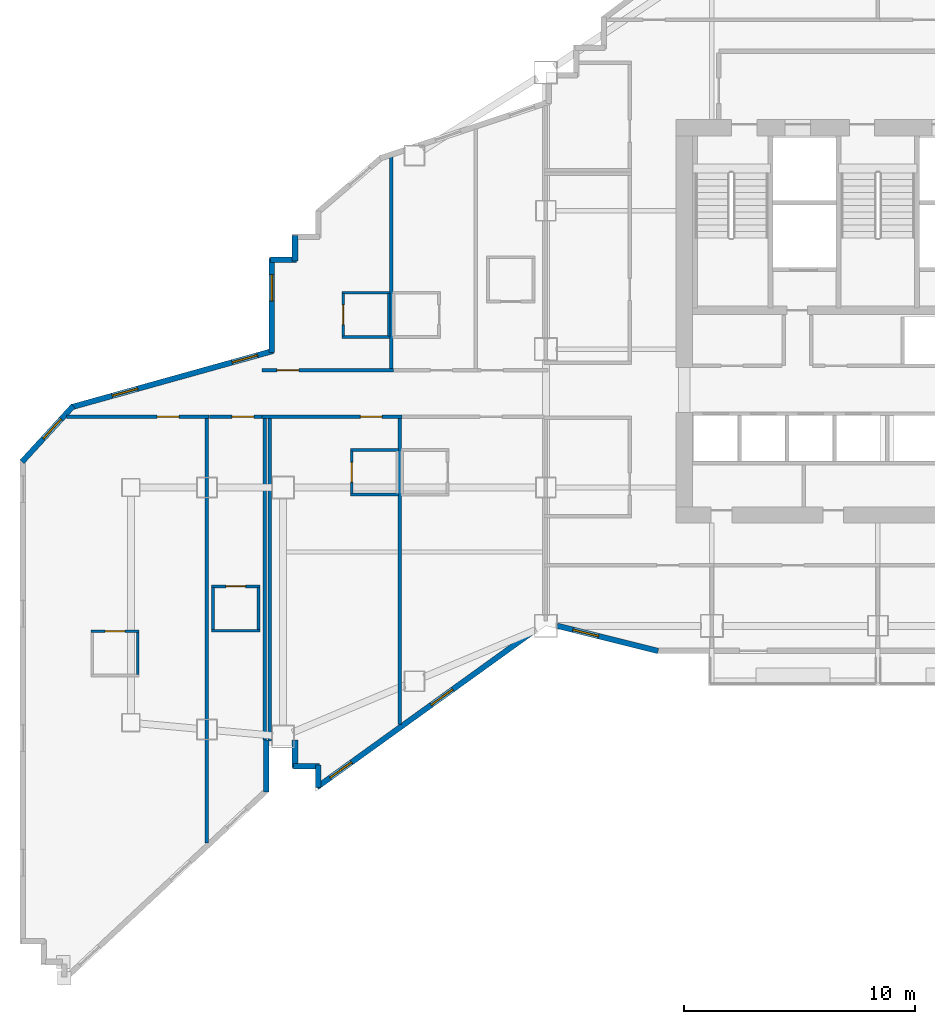
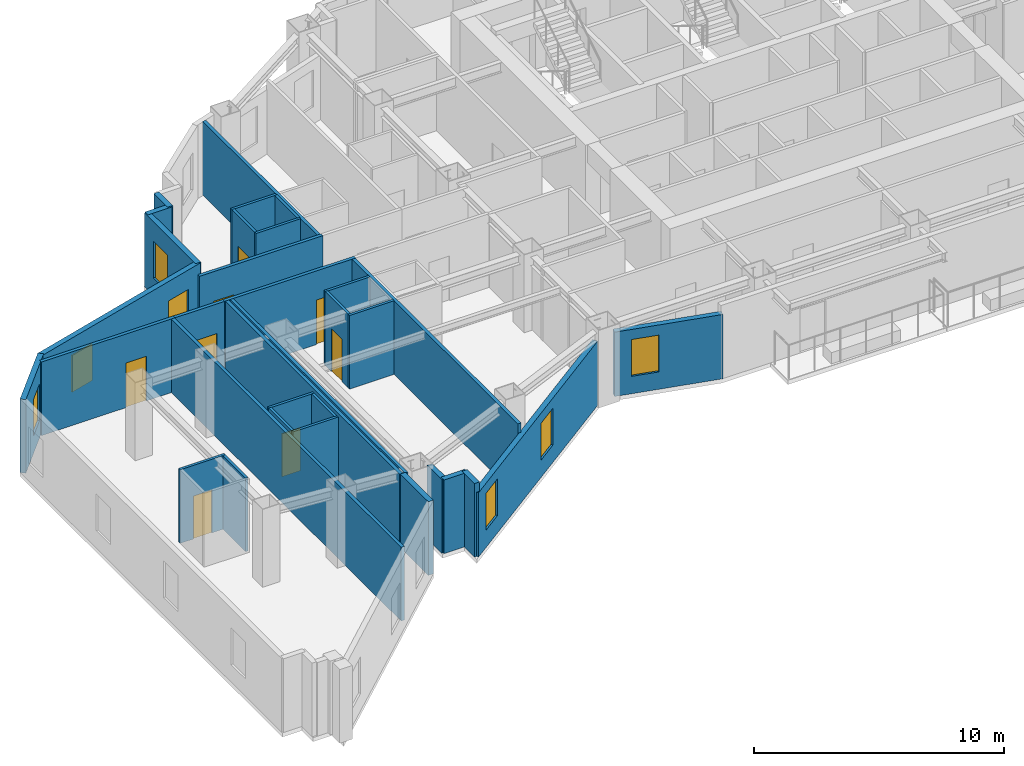
# One storey, part 7 of 14: 33 walls, 8 doors, 7 windows, 15 openings.
"""IFC4 building model written with IfcOpenShell, lengths in metres."""

from ifc_helpers import new_model, si_unit, direction, frame, frame_2d, origin, place, context, subcontext, project, spatial, rectangle, extrude, material, layer, layer_set, type_object, element, fill, save


model = new_model("IFC4")

# Units and contexts
model_context = context("Model", 3, precision=1e-05, world=origin(), true_north=direction((0.0, 1.0)))
body_context = subcontext(model_context, "Body", "Model", "MODEL_VIEW")
ifc_project = project(units=[si_unit("LENGTHUNIT", "METRE"), si_unit("AREAUNIT", "SQUARE_METRE"), si_unit("VOLUMEUNIT", "CUBIC_METRE"), si_unit("PLANEANGLEUNIT", "RADIAN"), si_unit("MASSUNIT", "GRAM", prefix="KILO")], contexts=[model_context])

# Site, building, storey
site_placement = place(None, origin())
site = spatial("IfcSite", under=ifc_project, at=site_placement, CompositionType="ELEMENT")
building_placement = place(site_placement, origin())
building = spatial("IfcBuilding", under=site, at=building_placement, Name="Haolan Belvedere Tower", CompositionType="ELEMENT")
storey_placement = place(building_placement, frame((0.0, 0.0, 144.800048828125)))
storey = spatial("IfcBuildingStorey", under=building, at=storey_placement, Name="L36", CompositionType="ELEMENT", Elevation=144.800048828125)

# Walls
ifc_material_1 = material(Name="Precast concrete C40/50", Category="concrete")
ifc_layer_1 = layer(ifc_material_1, 0.239990234375, Name="Precast concrete C40/50")
ifc_layer_set_1 = layer_set([ifc_layer_1], Name="Precast concrete C40/50")
wall_type_1 = type_object("IfcWallType", Name="WL-EXT-240", PredefinedType="SOLIDWALL", material=ifc_layer_set_1)
wall_1_placement = place(storey_placement, frame((13.1201171875, 16.639892578125, 0.0), z_axis=(0.0, 0.0, 1.0), x_axis=(0.0, -1.0, 0.0)))
element("IfcWall", 1, at=wall_1_placement, inside=storey, type_object=wall_type_1, Name="L36 pale-metal exterior spandrel wall 2.1", PredefinedType="SOLIDWALL", context=body_context, shape_type="SweptSolid", body=[
    extrude(rectangle(XDim=1.1748046875, YDim=0.239990234375, at=frame_2d((0.58740234375, 0.0))), origin(), (0.0, 0.0, 1.0), 3.599853515625),
])
wall_2_placement = place(storey_placement, frame((13.06494140625, 15.52001953125, 0.0), z_axis=(0.0, 0.0, 1.0), x_axis=(1.0, 0.0, 0.0)))
element("IfcWall", 2, at=wall_2_placement, inside=storey, type_object=wall_type_1, Name="L36 pale-metal exterior spandrel wall 3.1", PredefinedType="SOLIDWALL", context=body_context, shape_type="SweptSolid", body=[
    extrude(rectangle(XDim=1.110107421875, YDim=0.239990234375, at=frame_2d((0.55517578125, 0.0))), origin(), (0.0, 0.0, 1.0), 3.599853515625),
])
wall_3_placement = place(storey_placement, frame((14.1201171875, 15.574951171875, 0.0), z_axis=(0.0, 0.0, 1.0), x_axis=(0.0, -1.0, 0.0)))
element("IfcWall", 3, at=wall_3_placement, inside=storey, type_object=wall_type_1, Name="L36 pale-metal exterior spandrel wall 4.1", PredefinedType="SOLIDWALL", context=body_context, shape_type="SweptSolid", body=[
    extrude(rectangle(XDim=0.99560546875, YDim=0.239990234375, at=frame_2d((0.497802734375, 0.0))), origin(), (0.0, 0.0, 1.0), 3.599853515625),
])

# Wall, openings, windows
wall_4_placement = place(storey_placement, frame((14.075439453125, 14.602294921875, 0.0), z_axis=(0.0, 0.0, 1.0), x_axis=(0.811543504691, 0.584291998913, 0.0)))
wall_4 = element("IfcWall", 4, at=wall_4_placement, inside=storey, type_object=wall_type_1, Name="L36 pale-metal exterior spandrel wall 5.1", PredefinedType="SOLIDWALL", context=body_context, shape_type="SweptSolid", body=[
    extrude(rectangle(XDim=11.623046875, YDim=0.239990234375, at=frame_2d((5.8115234375, 0.0))), origin(), (0.0, 0.0, 1.0), 3.14501953125),
])
opening_1_placement = place(wall_4_placement, frame((0.699951171875, 0.0, 0.85009765625)))
opening_1 = element("IfcOpeningElement", 5, at=opening_1_placement, cuts=wall_4, Name="Opening W-02", PredefinedType="OPENING", context=body_context, shape_type="SweptSolid", body=[
    extrude(rectangle(XDim=1.14990234375, YDim=1.800048828125, at=frame_2d((0.574951171875, 0.89990234375))), frame((0.0, 0.1298828125, 0.0), z_axis=(0.0, -1.0, 0.0), x_axis=(1.0, 0.0, 0.0)), (0.0, 0.0, 1.0), 0.260009765625),
])
opening_2_placement = place(wall_4_placement, frame((6.10009765625, 0.0, 0.85009765625)))
opening_2 = element("IfcOpeningElement", 6, at=opening_2_placement, cuts=wall_4, Name="Opening W-02", PredefinedType="OPENING", context=body_context, shape_type="SweptSolid", body=[
    extrude(rectangle(XDim=1.14990234375, YDim=1.800048828125, at=frame_2d((0.574951171875, 0.89990234375))), frame((0.0, 0.1298828125, 0.0), z_axis=(0.0, -1.0, 0.0), x_axis=(1.0, 0.0, 0.0)), (0.0, 0.0, 1.0), 0.260009765625),
])
ifc_material_2 = material(Name="Anodised aluminium 6063-T6 and Low-E glass", Category="aluminium")
window_type = type_object("IfcWindowType", Name="WN-DECO-Z2", PartitioningType="SINGLE_PANEL", PredefinedType="WINDOW", material=ifc_material_2)
window_1_placement = place(opening_1_placement, origin())
window_1 = element("IfcWindow", 7, at=window_1_placement, inside=storey, type_object=window_type, Name="L36 Art Deco chevron window 1", OverallHeight=1.800048828125, OverallWidth=1.14990234375, PartitioningType="SINGLE_PANEL", PredefinedType="WINDOW", context=body_context, shape_type="SweptSolid", body=[
    extrude(rectangle(XDim=1.14990234375, YDim=1.800048828125, at=frame_2d((0.574951171875, 0.89990234375))), frame((0.0, 0.030029296875, 0.0), z_axis=(0.0, -1.0, 0.0), x_axis=(1.0, 0.0, 0.0)), (0.0, 0.0, 1.0), 0.06005859375),
])
fill(opening_1, window_1)
window_2_placement = place(opening_2_placement, origin())
window_2 = element("IfcWindow", 8, at=window_2_placement, inside=storey, type_object=window_type, Name="L36 Art Deco chevron window 2", OverallHeight=1.800048828125, OverallWidth=1.14990234375, PartitioningType="SINGLE_PANEL", PredefinedType="WINDOW", context=body_context, shape_type="SweptSolid", body=[
    extrude(rectangle(XDim=1.14990234375, YDim=1.800048828125, at=frame_2d((0.574951171875, 0.89990234375))), frame((0.0, 0.030029296875, 0.0), z_axis=(0.0, -1.0, 0.0), x_axis=(1.0, 0.0, 0.0)), (0.0, 0.0, 1.0), 0.06005859375),
])
fill(opening_2, window_2)

# Wall, opening, window
wall_5_placement = place(storey_placement, frame((24.491943359375, 21.6005859375, 0.0), z_axis=(0.0, 0.0, 1.0), x_axis=(0.970145683738, -0.242522890311, 0.0)))
wall_5 = element("IfcWall", 9, at=wall_5_placement, inside=storey, type_object=wall_type_1, Name="L36 pale-metal exterior spandrel wall 6.1", PredefinedType="SOLIDWALL", context=body_context, shape_type="SweptSolid", body=[
    extrude(rectangle(XDim=4.510986328125, YDim=0.239990234375, at=frame_2d((2.25537109375, 0.0))), origin(), (0.0, 0.0, 1.0), 3.14501953125),
])
opening_3_placement = place(wall_5_placement, frame((0.699951171875, 0.0, 0.85009765625)))
opening_3 = element("IfcOpeningElement", 10, at=opening_3_placement, cuts=wall_5, Name="Opening W-02", PredefinedType="OPENING", context=body_context, shape_type="SweptSolid", body=[
    extrude(rectangle(XDim=1.14990234375, YDim=1.800048828125, at=frame_2d((0.574951171875, 0.89990234375))), frame((0.0, 0.1298828125, 0.0), z_axis=(0.0, -1.0, 0.0), x_axis=(1.0, 0.0, 0.0)), (0.0, 0.0, 1.0), 0.260009765625),
])
window_3_placement = place(opening_3_placement, origin())
window_3 = element("IfcWindow", 11, at=window_3_placement, inside=storey, type_object=window_type, Name="L36 Art Deco chevron window 1", OverallHeight=1.800048828125, OverallWidth=1.14990234375, PartitioningType="SINGLE_PANEL", PredefinedType="WINDOW", context=body_context, shape_type="SweptSolid", body=[
    extrude(rectangle(XDim=1.14990234375, YDim=1.800048828125, at=frame_2d((0.574951171875, 0.89990234375))), frame((0.0, 0.030029296875, 0.0), z_axis=(0.0, -1.0, 0.0), x_axis=(1.0, 0.0, 0.0)), (0.0, 0.0, 1.0), 0.06005859375),
])
fill(opening_3, window_3)

# Walls
wall_6_placement = place(storey_placement, frame((13.1201171875, 38.534912109375, 0.0), z_axis=(0.0, 0.0, 1.0), x_axis=(0.0, -1.0, 0.0)))
element("IfcWall", 12, at=wall_6_placement, inside=storey, type_object=wall_type_1, Name="L36 pale-metal exterior spandrel wall 39.1", PredefinedType="SOLIDWALL", context=body_context, shape_type="SweptSolid", body=[
    extrude(rectangle(XDim=1.10986328125, YDim=0.239990234375, at=frame_2d((0.554931640625, 0.0))), origin(), (0.0, 0.0, 1.0), 3.599853515625),
])
wall_7_placement = place(storey_placement, frame((13.175048828125, 37.47998046875, 0.0), z_axis=(0.0, 0.0, 1.0), x_axis=(-1.0, 0.0, 0.0)))
element("IfcWall", 13, at=wall_7_placement, inside=storey, type_object=wall_type_1, Name="L36 pale-metal exterior spandrel wall 40.1", PredefinedType="SOLIDWALL", context=body_context, shape_type="SweptSolid", body=[
    extrude(rectangle(XDim=1.110107421875, YDim=0.239990234375, at=frame_2d((0.55517578125, 0.0))), origin(), (0.0, 0.0, 1.0), 3.599853515625),
])

# Wall, opening, window
wall_8_placement = place(storey_placement, frame((12.1201171875, 37.534912109375, 0.0), z_axis=(0.0, 0.0, 1.0), x_axis=(0.0, -1.0, 0.0)))
wall_8 = element("IfcWall", 14, at=wall_8_placement, inside=storey, type_object=wall_type_1, Name="L36 pale-metal exterior spandrel wall 41.1", PredefinedType="SOLIDWALL", context=body_context, shape_type="SweptSolid", body=[
    extrude(rectangle(XDim=4.0810546875, YDim=0.239990234375, at=frame_2d((2.04052734375, 0.0))), origin(), (0.0, 0.0, 1.0), 3.599853515625),
])
opening_4_placement = place(wall_8_placement, frame((0.699951171875, 0.0, 0.85009765625)))
opening_4 = element("IfcOpeningElement", 15, at=opening_4_placement, cuts=wall_8, Name="Opening W-02", PredefinedType="OPENING", context=body_context, shape_type="SweptSolid", body=[
    extrude(rectangle(XDim=1.14990234375, YDim=1.800048828125, at=frame_2d((0.574951171875, 0.89990234375))), frame((0.0, 0.1298828125, 0.0), z_axis=(0.0, -1.0, 0.0), x_axis=(1.0, 0.0, 0.0)), (0.0, 0.0, 1.0), 0.260009765625),
])
window_4_placement = place(opening_4_placement, origin())
window_4 = element("IfcWindow", 16, at=window_4_placement, inside=storey, type_object=window_type, Name="L36 Art Deco chevron window 1", OverallHeight=1.800048828125, OverallWidth=1.14990234375, PartitioningType="SINGLE_PANEL", PredefinedType="WINDOW", context=body_context, shape_type="SweptSolid", body=[
    extrude(rectangle(XDim=1.14990234375, YDim=1.800048828125, at=frame_2d((0.574951171875, 0.89990234375))), frame((0.0, 0.030029296875, 0.0), z_axis=(0.0, -1.0, 0.0), x_axis=(1.0, 0.0, 0.0)), (0.0, 0.0, 1.0), 0.06005859375),
])
fill(opening_4, window_4)

# Wall, openings, windows
wall_9_placement = place(storey_placement, frame((12.173095703125, 33.523681640625, 0.0), z_axis=(0.0, 0.0, 1.0), x_axis=(-0.963197271032, -0.268795493036, 0.0)))
wall_9 = element("IfcWall", 17, at=wall_9_placement, inside=storey, type_object=wall_type_1, Name="L36 pale-metal exterior spandrel wall 42.1", PredefinedType="SOLIDWALL", context=body_context, shape_type="SweptSolid", body=[
    extrude(rectangle(XDim=9.095458984375, YDim=0.239990234375, at=frame_2d((4.5478515625, 0.0))), origin(), (0.0, 0.0, 1.0), 3.599853515625),
])
opening_5_placement = place(wall_9_placement, frame((0.699951171875, 0.0, 0.85009765625)))
opening_5 = element("IfcOpeningElement", 18, at=opening_5_placement, cuts=wall_9, Name="Opening W-02", PredefinedType="OPENING", context=body_context, shape_type="SweptSolid", body=[
    extrude(rectangle(XDim=1.14990234375, YDim=1.800048828125, at=frame_2d((0.574951171875, 0.89990234375))), frame((0.0, 0.1298828125, 0.0), z_axis=(0.0, -1.0, 0.0), x_axis=(1.0, 0.0, 0.0)), (0.0, 0.0, 1.0), 0.260009765625),
])
opening_6_placement = place(wall_9_placement, frame((6.10009765625, 0.0, 0.85009765625)))
opening_6 = element("IfcOpeningElement", 19, at=opening_6_placement, cuts=wall_9, Name="Opening W-02", PredefinedType="OPENING", context=body_context, shape_type="SweptSolid", body=[
    extrude(rectangle(XDim=1.14990234375, YDim=1.800048828125, at=frame_2d((0.574951171875, 0.89990234375))), frame((0.0, 0.1298828125, 0.0), z_axis=(0.0, -1.0, 0.0), x_axis=(1.0, 0.0, 0.0)), (0.0, 0.0, 1.0), 0.260009765625),
])
window_5_placement = place(opening_5_placement, origin())
window_5 = element("IfcWindow", 20, at=window_5_placement, inside=storey, type_object=window_type, Name="L36 Art Deco chevron window 1", OverallHeight=1.800048828125, OverallWidth=1.14990234375, PartitioningType="SINGLE_PANEL", PredefinedType="WINDOW", context=body_context, shape_type="SweptSolid", body=[
    extrude(rectangle(XDim=1.14990234375, YDim=1.800048828125, at=frame_2d((0.574951171875, 0.89990234375))), frame((0.0, 0.030029296875, 0.0), z_axis=(0.0, -1.0, 0.0), x_axis=(1.0, 0.0, 0.0)), (0.0, 0.0, 1.0), 0.06005859375),
])
fill(opening_5, window_5)
window_6_placement = place(opening_6_placement, origin())
window_6 = element("IfcWindow", 21, at=window_6_placement, inside=storey, type_object=window_type, Name="L36 Art Deco chevron window 2", OverallHeight=1.800048828125, OverallWidth=1.14990234375, PartitioningType="SINGLE_PANEL", PredefinedType="WINDOW", context=body_context, shape_type="SweptSolid", body=[
    extrude(rectangle(XDim=1.14990234375, YDim=1.800048828125, at=frame_2d((0.574951171875, 0.89990234375))), frame((0.0, 0.030029296875, 0.0), z_axis=(0.0, -1.0, 0.0), x_axis=(1.0, 0.0, 0.0)), (0.0, 0.0, 1.0), 0.06005859375),
])
fill(opening_6, window_6)

# Wall, opening, window
wall_10_placement = place(storey_placement, frame((3.50244140625, 31.134033203125, 0.0), z_axis=(0.0, 0.0, 1.0), x_axis=(-0.675781844312, -0.737101688302, 0.0)))
wall_10 = element("IfcWall", 22, at=wall_10_placement, inside=storey, type_object=wall_type_1, Name="L36 pale-metal exterior spandrel wall 43.1", PredefinedType="SOLIDWALL", context=body_context, shape_type="SweptSolid", body=[
    extrude(rectangle(XDim=3.28466796875, YDim=0.239990234375, at=frame_2d((1.642333984375, 0.0))), origin(), (0.0, 0.0, 1.0), 3.599853515625),
])
opening_7_placement = place(wall_10_placement, frame((0.768310546875, 0.0, 0.85009765625)))
opening_7 = element("IfcOpeningElement", 23, at=opening_7_placement, cuts=wall_10, Name="Opening W-02", PredefinedType="OPENING", context=body_context, shape_type="SweptSolid", body=[
    extrude(rectangle(XDim=1.14990234375, YDim=1.800048828125, at=frame_2d((0.574951171875, 0.89990234375))), frame((0.0, 0.1298828125, 0.0), z_axis=(0.0, -1.0, 0.0), x_axis=(1.0, 0.0, 0.0)), (0.0, 0.0, 1.0), 0.260009765625),
])
window_7_placement = place(opening_7_placement, origin())
window_7 = element("IfcWindow", 24, at=window_7_placement, inside=storey, type_object=window_type, Name="L36 Art Deco chevron window 1", OverallHeight=1.800048828125, OverallWidth=1.14990234375, PartitioningType="SINGLE_PANEL", PredefinedType="WINDOW", context=body_context, shape_type="SweptSolid", body=[
    extrude(rectangle(XDim=1.14990234375, YDim=1.800048828125, at=frame_2d((0.574951171875, 0.89990234375))), frame((0.0, 0.030029296875, 0.0), z_axis=(0.0, -1.0, 0.0), x_axis=(1.0, 0.0, 0.0)), (0.0, 0.0, 1.0), 0.06005859375),
])
fill(opening_7, window_7)

# Wall
wall_11_placement = place(storey_placement, frame((11.8798828125, 14.397216796875, 0.0), z_axis=(0.0, 0.0, 1.0), x_axis=(0.0, 1.0, 0.0)))
element("IfcWall", 25, at=wall_11_placement, inside=storey, type_object=wall_type_1, Name="L36 pale-metal exterior spandrel wall 50.1", PredefinedType="SOLIDWALL", context=body_context, shape_type="SweptSolid", body=[
    extrude(rectangle(XDim=2.24267578125, YDim=0.239990234375, at=frame_2d((1.121337890625, 0.0))), origin(), (0.0, 0.0, 1.0), 3.599853515625),
])

# Wall, opening, door
ifc_material_3 = material(Name="Double gypsum acoustic stud partition", Category="masonry")
ifc_layer_2 = layer(ifc_material_3, 0.14990234375, Name="Double gypsum acoustic stud partition")
ifc_layer_set_2 = layer_set([ifc_layer_2], Name="Double gypsum acoustic stud partition")
wall_type_2 = type_object("IfcWallType", Name="WL-PART-150", PredefinedType="PARTITIONING", material=ifc_layer_set_2)
wall_12_placement = place(storey_placement, frame((11.699951171875, 32.679931640625, 0.0), z_axis=(0.0, 0.0, 1.0), x_axis=(1.0, 0.0, 0.0)))
wall_12 = element("IfcWall", 26, at=wall_12_placement, inside=storey, type_object=wall_type_2, Name="L36 interior partition IW-L36-T2N1-S", PredefinedType="PARTITIONING", context=body_context, shape_type="SweptSolid", body=[
    extrude(rectangle(XDim=5.68994140625, YDim=0.14990234375, at=frame_2d((2.844970703125, 0.0))), origin(), (0.0, 0.0, 1.0), 3.599853515625),
])
opening_8_placement = place(wall_12_placement, frame((0.633544921875, 0.0, 0.0)))
opening_8 = element("IfcOpeningElement", 27, at=opening_8_placement, cuts=wall_12, Name="Opening ID-02", PredefinedType="OPENING", context=body_context, shape_type="SweptSolid", body=[
    extrude(rectangle(XDim=0.949951171875, YDim=2.14990234375, at=frame_2d((0.47509765625, 1.074951171875))), frame((0.0, 0.0849609375, 0.0), z_axis=(0.0, -1.0, 0.0), x_axis=(1.0, 0.0, 0.0)), (0.0, 0.0, 1.0), 0.169921875),
])
ifc_material_4 = material(Name="Acoustic oak veneer fire-rated timber", Category="wood")
door_type_1 = type_object("IfcDoorType", Name="DR-GUEST-950", OperationType="NOTDEFINED", PredefinedType="DOOR", material=ifc_material_4)
door_1_placement = place(opening_8_placement, origin())
door_1 = element("IfcDoor", 28, at=door_1_placement, inside=storey, type_object=door_type_1, Name="L36 door ID-L36-T2N1-ENT", OperationType="SINGLE_SWING_RIGHT", OverallHeight=2.14990234375, OverallWidth=0.949951171875, PredefinedType="DOOR", context=body_context, shape_type="SweptSolid", body=[
    extrude(rectangle(XDim=0.949951171875, YDim=2.14990234375, at=frame_2d((0.47509765625, 1.074951171875))), frame((0.0, 0.02490234375, 0.0), z_axis=(0.0, -1.0, 0.0), x_axis=(1.0, 0.0, 0.0)), (0.0, 0.0, 1.0), 0.050048828125),
])
fill(opening_8, door_1)

# Wall
wall_13_placement = place(storey_placement, frame((17.2900390625, 32.739990234375, 0.0), z_axis=(0.0, 0.0, 1.0), x_axis=(0.0, 1.0, 0.0)))
element("IfcWall", 29, at=wall_13_placement, inside=storey, type_object=wall_type_2, Name="L36 interior partition IW-L36-T2N1-E", PredefinedType="PARTITIONING", context=body_context, shape_type="SweptSolid", body=[
    extrude(rectangle(XDim=9.186279296875, YDim=0.14990234375, at=frame_2d((4.59326171875, 0.0))), origin(), (0.0, 0.0, 1.0), 3.599853515625),
])

# Wall, opening, door
wall_14_placement = place(storey_placement, frame((11.699951171875, 30.669921875, 0.0), z_axis=(0.0, 0.0, 1.0), x_axis=(1.0, 0.0, 0.0)))
wall_14 = element("IfcWall", 30, at=wall_14_placement, inside=storey, type_object=wall_type_2, Name="L36 interior partition IW-L36-T2S1-N", PredefinedType="PARTITIONING", context=body_context, shape_type="SweptSolid", body=[
    extrude(rectangle(XDim=6.06005859375, YDim=0.14990234375, at=frame_2d((3.030029296875, 0.0))), origin(), (0.0, 0.0, 1.0), 3.599853515625),
])
opening_9_placement = place(wall_14_placement, frame((5.201416015625, 0.0, 0.0), z_axis=(0.0, 0.0, 1.0), x_axis=(-1.0, 0.0, 0.0)))
opening_9 = element("IfcOpeningElement", 31, at=opening_9_placement, cuts=wall_14, Name="Opening ID-01", PredefinedType="OPENING", context=body_context, shape_type="SweptSolid", body=[
    extrude(rectangle(XDim=0.949951171875, YDim=2.179931640625, at=frame_2d((0.47509765625, 1.08984375))), frame((0.0, 0.0849609375, 0.0), z_axis=(0.0, -1.0, 0.0), x_axis=(1.0, 0.0, 0.0)), (0.0, 0.0, 1.0), 0.169921875),
])
ifc_material_5 = material(Name="Acoustic walnut veneer fire-rated timber", Category="wood")
door_type_2 = type_object("IfcDoorType", Name="DR-SUITE-950", OperationType="NOTDEFINED", PredefinedType="DOOR", material=ifc_material_5)
door_2_placement = place(opening_9_placement, origin())
door_2 = element("IfcDoor", 32, at=door_2_placement, inside=storey, type_object=door_type_2, Name="L36 door ID-L36-T2S1-ENT", OperationType="SINGLE_SWING_LEFT", OverallHeight=2.179931640625, OverallWidth=0.949951171875, PredefinedType="DOOR", context=body_context, shape_type="SweptSolid", body=[
    extrude(rectangle(XDim=0.949951171875, YDim=2.179931640625, at=frame_2d((0.47509765625, 1.08984375))), frame((0.0, 0.02490234375, 0.0), z_axis=(0.0, -1.0, 0.0), x_axis=(1.0, 0.0, 0.0)), (0.0, 0.0, 1.0), 0.050048828125),
])
fill(opening_9, door_2)

# Walls
wall_15_placement = place(storey_placement, frame((11.800048828125, 16.64208984375, 0.0), z_axis=(0.0, 0.0, 1.0), x_axis=(0.0, 1.0, 0.0)))
element("IfcWall", 33, at=wall_15_placement, inside=storey, type_object=wall_type_2, Name="L36 interior partition IW-L36-T2S1-W", PredefinedType="PARTITIONING", context=body_context, shape_type="SweptSolid", body=[
    extrude(rectangle(XDim=13.968017578125, YDim=0.14990234375, at=frame_2d((6.98388671875, 0.0))), origin(), (0.0, 0.0, 1.0), 3.599853515625),
])
wall_16_placement = place(storey_placement, frame((17.659912109375, 17.3125, 0.0), z_axis=(0.0, 0.0, 1.0), x_axis=(0.0, 1.0, 0.0)))
element("IfcWall", 34, at=wall_16_placement, inside=storey, type_object=wall_type_2, Name="L36 interior partition IW-L36-T2S1-E", PredefinedType="PARTITIONING", context=body_context, shape_type="SweptSolid", body=[
    extrude(rectangle(XDim=13.297607421875, YDim=0.14990234375, at=frame_2d((6.64892578125, 0.0))), origin(), (0.0, 0.0, 1.0), 3.599853515625),
])

# Wall, opening, door
wall_17_placement = place(storey_placement, frame((3.219482421875, 30.669921875, 0.0), z_axis=(0.0, 0.0, 1.0), x_axis=(1.0, 0.0, 0.0)))
wall_17 = element("IfcWall", 35, at=wall_17_placement, inside=storey, type_object=wall_type_2, Name="L36 interior partition IW-L36-T1S1-N", PredefinedType="PARTITIONING", context=body_context, shape_type="SweptSolid", body=[
    extrude(rectangle(XDim=6.180419921875, YDim=0.14990234375, at=frame_2d((3.09033203125, 0.0))), origin(), (0.0, 0.0, 1.0), 3.599853515625),
])
opening_10_placement = place(wall_17_placement, frame((4.872314453125, 0.0, 0.0), z_axis=(0.0, 0.0, 1.0), x_axis=(-1.0, 0.0, 0.0)))
opening_10 = element("IfcOpeningElement", 36, at=opening_10_placement, cuts=wall_17, Name="Opening ID-01", PredefinedType="OPENING", context=body_context, shape_type="SweptSolid", body=[
    extrude(rectangle(XDim=0.949951171875, YDim=2.179931640625, at=frame_2d((0.47509765625, 1.08984375))), frame((0.0, 0.0849609375, 0.0), z_axis=(0.0, -1.0, 0.0), x_axis=(1.0, 0.0, 0.0)), (0.0, 0.0, 1.0), 0.169921875),
])
door_3_placement = place(opening_10_placement, origin())
door_3 = element("IfcDoor", 37, at=door_3_placement, inside=storey, type_object=door_type_2, Name="L36 door ID-L36-T1S1-ENT", OperationType="SINGLE_SWING_RIGHT", OverallHeight=2.179931640625, OverallWidth=0.949951171875, PredefinedType="DOOR", context=body_context, shape_type="SweptSolid", body=[
    extrude(rectangle(XDim=0.949951171875, YDim=2.179931640625, at=frame_2d((0.47509765625, 1.08984375))), frame((0.0, 0.02490234375, 0.0), z_axis=(0.0, -1.0, 0.0), x_axis=(1.0, 0.0, 0.0)), (0.0, 0.0, 1.0), 0.050048828125),
])
fill(opening_10, door_3)

# Wall
wall_18_placement = place(storey_placement, frame((9.300048828125, 12.187744140625, 0.0), z_axis=(0.0, 0.0, 1.0), x_axis=(0.0, 1.0, 0.0)))
element("IfcWall", 38, at=wall_18_placement, inside=storey, type_object=wall_type_2, Name="L36 interior partition IW-L36-T1S1-E", PredefinedType="PARTITIONING", context=body_context, shape_type="SweptSolid", body=[
    extrude(rectangle(XDim=18.42236328125, YDim=0.14990234375, at=frame_2d((9.211181640625, 0.0))), origin(), (0.0, 0.0, 1.0), 3.599853515625),
])

# Wall, opening, door
wall_19_placement = place(storey_placement, frame((9.402099609375, 30.669921875, 0.0), z_axis=(0.0, 0.0, 1.0), x_axis=(1.0, 0.0, 0.0)))
wall_19 = element("IfcWall", 39, at=wall_19_placement, inside=storey, type_object=wall_type_2, Name="L36 interior partition IW-L36-T1S2-N", PredefinedType="PARTITIONING", context=body_context, shape_type="SweptSolid", body=[
    extrude(rectangle(XDim=2.2958984375, YDim=0.14990234375, at=frame_2d((1.14794921875, 0.0))), origin(), (0.0, 0.0, 1.0), 3.599853515625),
])
opening_11_placement = place(wall_19_placement, frame((1.93408203125, 0.0, 0.0), z_axis=(0.0, 0.0, 1.0), x_axis=(-1.0, 0.0, 0.0)))
opening_11 = element("IfcOpeningElement", 40, at=opening_11_placement, cuts=wall_19, Name="Opening ID-02", PredefinedType="OPENING", context=body_context, shape_type="SweptSolid", body=[
    extrude(rectangle(XDim=0.949951171875, YDim=2.14990234375, at=frame_2d((0.47509765625, 1.074951171875))), frame((0.0, 0.0849609375, 0.0), z_axis=(0.0, -1.0, 0.0), x_axis=(1.0, 0.0, 0.0)), (0.0, 0.0, 1.0), 0.169921875),
])
door_4_placement = place(opening_11_placement, origin())
door_4 = element("IfcDoor", 41, at=door_4_placement, inside=storey, type_object=door_type_1, Name="L36 door ID-L36-T1S2-ENT", OperationType="SINGLE_SWING_LEFT", OverallHeight=2.14990234375, OverallWidth=0.949951171875, PredefinedType="DOOR", context=body_context, shape_type="SweptSolid", body=[
    extrude(rectangle(XDim=0.949951171875, YDim=2.14990234375, at=frame_2d((0.47509765625, 1.074951171875))), frame((0.0, 0.02490234375, 0.0), z_axis=(0.0, -1.0, 0.0), x_axis=(1.0, 0.0, 0.0)), (0.0, 0.0, 1.0), 0.050048828125),
])
fill(opening_11, door_4)

# Walls
wall_20_placement = place(storey_placement, frame((12.02001953125, 16.612060546875, 0.0), z_axis=(0.0, 0.0, 1.0), x_axis=(0.0, 1.0, 0.0)))
element("IfcWall", 42, at=wall_20_placement, inside=storey, type_object=wall_type_2, Name="L36 interior partition IW-L36-T1S2-E", PredefinedType="PARTITIONING", context=body_context, shape_type="SweptSolid", body=[
    extrude(rectangle(XDim=13.998046875, YDim=0.14990234375, at=frame_2d((6.9990234375, 0.0))), origin(), (0.0, 0.0, 1.0), 3.599853515625),
])
ifc_material_6 = material(Name="Moisture-resistant gypsum tile partition", Category="masonry")
ifc_layer_3 = layer(ifc_material_6, 0.1201171875, Name="Moisture-resistant gypsum tile partition")
ifc_layer_set_3 = layer_set([ifc_layer_3], Name="Moisture-resistant gypsum tile partition")
wall_type_3 = type_object("IfcWallType", Name="WL-WET-120", PredefinedType="PARTITIONING", material=ifc_layer_set_3)
for number, where, z_axis, x_axis, name in (
    (43, (15.14990234375, 36.050048828125, 0.0), (0.0, 0.0, 1.0), (1.0, 0.0, 0.0), "L36 interior partition IW-L36-T2N1-BN"),
    (44, (15.14990234375, 34.1298828125, 0.0), (0.0, 0.0, 1.0), (1.0, 0.0, 0.0), "L36 interior partition IW-L36-T2N1-BS"),
):
    element("IfcWall", number, at=place(storey_placement, frame(where, z_axis=z_axis, x_axis=x_axis)), inside=storey, type_object=wall_type_3, Name=name, PredefinedType="PARTITIONING", context=body_context, shape_type="SweptSolid", body=[
        extrude(rectangle(XDim=2.080078125, YDim=0.1201171875, at=frame_2d((1.0400390625, 0.0))), origin(), (0.0, 0.0, 1.0), 3.599853515625),
    ])

# Wall, opening, door
wall_21_placement = place(storey_placement, frame((15.2099609375, 34.175048828125, 0.0), z_axis=(0.0, 0.0, 1.0), x_axis=(0.0, 1.0, 0.0)))
wall_21 = element("IfcWall", 45, at=wall_21_placement, inside=storey, type_object=wall_type_3, Name="L36 interior partition IW-L36-T2N1-BW", PredefinedType="PARTITIONING", context=body_context, shape_type="SweptSolid", body=[
    extrude(rectangle(XDim=1.829833984375, YDim=0.1201171875, at=frame_2d((0.9150390625, 0.0))), origin(), (0.0, 0.0, 1.0), 3.599853515625),
])
opening_12_placement = place(wall_21_placement, frame((1.340087890625, 0.0, 0.0), z_axis=(0.0, 0.0, 1.0), x_axis=(-1.0, 0.0, 0.0)))
opening_12 = element("IfcOpeningElement", 46, at=opening_12_placement, cuts=wall_21, Name="Opening ID-05", PredefinedType="OPENING", context=body_context, shape_type="SweptSolid", body=[
    extrude(rectangle(XDim=0.85009765625, YDim=2.10009765625, at=frame_2d((0.425048828125, 1.050048828125))), frame((0.0, 0.070068359375, 0.0), z_axis=(0.0, -1.0, 0.0), x_axis=(1.0, 0.0, 0.0)), (0.0, 0.0, 1.0), 0.14013671875),
])
ifc_material_7 = material(Name="Moisture-resistant lacquered timber", Category="wood")
door_type_3 = type_object("IfcDoorType", Name="DR-BATH-850", OperationType="NOTDEFINED", PredefinedType="DOOR", material=ifc_material_7)
door_5_placement = place(opening_12_placement, origin())
door_5 = element("IfcDoor", 47, at=door_5_placement, inside=storey, type_object=door_type_3, Name="L36 door ID-L36-T2N1-BATH", OperationType="SINGLE_SWING_LEFT", OverallHeight=2.10009765625, OverallWidth=0.85009765625, PredefinedType="DOOR", context=body_context, shape_type="SweptSolid", body=[
    extrude(rectangle(XDim=0.85009765625, YDim=2.10009765625, at=frame_2d((0.425048828125, 1.050048828125))), frame((0.0, 0.02490234375, 0.0), z_axis=(0.0, -1.0, 0.0), x_axis=(1.0, 0.0, 0.0)), (0.0, 0.0, 1.0), 0.050048828125),
])
fill(opening_12, door_5)

# Walls
wall_22_placement = place(storey_placement, frame((17.18994140625, 34.175048828125, 0.0), z_axis=(0.0, 0.0, 1.0), x_axis=(0.0, 1.0, 0.0)))
element("IfcWall", 48, at=wall_22_placement, inside=storey, type_object=wall_type_3, Name="L36 interior partition IW-L36-T2N1-BE", PredefinedType="PARTITIONING", context=body_context, shape_type="SweptSolid", body=[
    extrude(rectangle(XDim=1.829833984375, YDim=0.1201171875, at=frame_2d((0.9150390625, 0.0))), origin(), (0.0, 0.0, 1.0), 3.599853515625),
])
for number, where, z_axis, x_axis, name in (
    (49, (15.52001953125, 29.219970703125, 0.0), (0.0, 0.0, 1.0), (1.0, 0.0, 0.0), "L36 interior partition IW-L36-T2S1-BN"),
    (50, (15.52001953125, 27.300048828125, 0.0), (0.0, 0.0, 1.0), (1.0, 0.0, 0.0), "L36 interior partition IW-L36-T2S1-BS"),
):
    element("IfcWall", number, at=place(storey_placement, frame(where, z_axis=z_axis, x_axis=x_axis)), inside=storey, type_object=wall_type_3, Name=name, PredefinedType="PARTITIONING", context=body_context, shape_type="SweptSolid", body=[
        extrude(rectangle(XDim=2.080078125, YDim=0.1201171875, at=frame_2d((1.0400390625, 0.0))), origin(), (0.0, 0.0, 1.0), 3.599853515625),
    ])

# Wall, opening, door
wall_23_placement = place(storey_placement, frame((15.580078125, 27.344970703125, 0.0), z_axis=(0.0, 0.0, 1.0), x_axis=(0.0, 1.0, 0.0)))
wall_23 = element("IfcWall", 51, at=wall_23_placement, inside=storey, type_object=wall_type_3, Name="L36 interior partition IW-L36-T2S1-BW", PredefinedType="PARTITIONING", context=body_context, shape_type="SweptSolid", body=[
    extrude(rectangle(XDim=1.830078125, YDim=0.1201171875, at=frame_2d((0.9150390625, 0.0))), origin(), (0.0, 0.0, 1.0), 3.599853515625),
])
opening_13_placement = place(wall_23_placement, frame((1.340087890625, 0.0, 0.0), z_axis=(0.0, 0.0, 1.0), x_axis=(-1.0, 0.0, 0.0)))
opening_13 = element("IfcOpeningElement", 52, at=opening_13_placement, cuts=wall_23, Name="Opening ID-05", PredefinedType="OPENING", context=body_context, shape_type="SweptSolid", body=[
    extrude(rectangle(XDim=0.85009765625, YDim=2.10009765625, at=frame_2d((0.425048828125, 1.050048828125))), frame((0.0, 0.070068359375, 0.0), z_axis=(0.0, -1.0, 0.0), x_axis=(1.0, 0.0, 0.0)), (0.0, 0.0, 1.0), 0.14013671875),
])
door_6_placement = place(opening_13_placement, origin())
door_6 = element("IfcDoor", 53, at=door_6_placement, inside=storey, type_object=door_type_3, Name="L36 door ID-L36-T2S1-BATH", OperationType="SINGLE_SWING_RIGHT", OverallHeight=2.10009765625, OverallWidth=0.85009765625, PredefinedType="DOOR", context=body_context, shape_type="SweptSolid", body=[
    extrude(rectangle(XDim=0.85009765625, YDim=2.10009765625, at=frame_2d((0.425048828125, 1.050048828125))), frame((0.0, 0.02490234375, 0.0), z_axis=(0.0, -1.0, 0.0), x_axis=(1.0, 0.0, 0.0)), (0.0, 0.0, 1.0), 0.050048828125),
])
fill(opening_13, door_6)

wall_24_placement = place(storey_placement, frame((4.264892578125, 21.364013671875, 0.0), z_axis=(0.0, 0.0, 1.0), x_axis=(1.0, 0.0, 0.0)))
wall_24 = element("IfcWall", 54, at=wall_24_placement, inside=storey, type_object=wall_type_3, Name="L36 interior partition IW-L36-T1S1-BN", PredefinedType="PARTITIONING", context=body_context, shape_type="SweptSolid", body=[
    extrude(rectangle(XDim=2.10009765625, YDim=0.1201171875, at=frame_2d((1.050048828125, 0.0))), origin(), (0.0, 0.0, 1.0), 3.599853515625),
])
opening_14_placement = place(wall_24_placement, frame((1.47509765625, 0.0, 0.0), z_axis=(0.0, 0.0, 1.0), x_axis=(-1.0, 0.0, 0.0)))
opening_14 = element("IfcOpeningElement", 55, at=opening_14_placement, cuts=wall_24, Name="Opening ID-05", PredefinedType="OPENING", context=body_context, shape_type="SweptSolid", body=[
    extrude(rectangle(XDim=0.85009765625, YDim=2.10009765625, at=frame_2d((0.425048828125, 1.050048828125))), frame((0.0, 0.070068359375, 0.0), z_axis=(0.0, -1.0, 0.0), x_axis=(1.0, 0.0, 0.0)), (0.0, 0.0, 1.0), 0.14013671875),
])
door_7_placement = place(opening_14_placement, origin())
door_7 = element("IfcDoor", 56, at=door_7_placement, inside=storey, type_object=door_type_3, Name="L36 door ID-L36-T1S1-BATH", OperationType="SINGLE_SWING_LEFT", OverallHeight=2.10009765625, OverallWidth=0.85009765625, PredefinedType="DOOR", context=body_context, shape_type="SweptSolid", body=[
    extrude(rectangle(XDim=0.85009765625, YDim=2.10009765625, at=frame_2d((0.425048828125, 1.050048828125))), frame((0.0, 0.02490234375, 0.0), z_axis=(0.0, -1.0, 0.0), x_axis=(1.0, 0.0, 0.0)), (0.0, 0.0, 1.0), 0.050048828125),
])
fill(opening_14, door_7)

# Wall
wall_25_placement = place(storey_placement, frame((6.304931640625, 19.489013671875, 0.0), z_axis=(0.0, 0.0, 1.0), x_axis=(0.0, 1.0, 0.0)))
element("IfcWall", 57, at=wall_25_placement, inside=storey, type_object=wall_type_3, Name="L36 interior partition IW-L36-T1S1-BE", PredefinedType="PARTITIONING", context=body_context, shape_type="SweptSolid", body=[
    extrude(rectangle(XDim=1.830078125, YDim=0.1201171875, at=frame_2d((0.9150390625, 0.0))), origin(), (0.0, 0.0, 1.0), 3.599853515625),
])

# Wall, opening, door
wall_26_placement = place(storey_placement, frame((9.5, 23.31005859375, 0.0), z_axis=(0.0, 0.0, 1.0), x_axis=(1.0, 0.0, 0.0)))
wall_26 = element("IfcWall", 58, at=wall_26_placement, inside=storey, type_object=wall_type_3, Name="L36 interior partition IW-L36-T1S2-BN", PredefinedType="PARTITIONING", context=body_context, shape_type="SweptSolid", body=[
    extrude(rectangle(XDim=2.10009765625, YDim=0.1201171875, at=frame_2d((1.050048828125, 0.0))), origin(), (0.0, 0.0, 1.0), 3.599853515625),
])
opening_15_placement = place(wall_26_placement, frame((1.47509765625, 0.0, 0.0), z_axis=(0.0, 0.0, 1.0), x_axis=(-1.0, 0.0, 0.0)))
opening_15 = element("IfcOpeningElement", 59, at=opening_15_placement, cuts=wall_26, Name="Opening ID-05", PredefinedType="OPENING", context=body_context, shape_type="SweptSolid", body=[
    extrude(rectangle(XDim=0.85009765625, YDim=2.10009765625, at=frame_2d((0.425048828125, 1.050048828125))), frame((0.0, 0.070068359375, 0.0), z_axis=(0.0, -1.0, 0.0), x_axis=(1.0, 0.0, 0.0)), (0.0, 0.0, 1.0), 0.14013671875),
])
door_8_placement = place(opening_15_placement, origin())
door_8 = element("IfcDoor", 60, at=door_8_placement, inside=storey, type_object=door_type_3, Name="L36 door ID-L36-T1S2-BATH", OperationType="SINGLE_SWING_RIGHT", OverallHeight=2.10009765625, OverallWidth=0.85009765625, PredefinedType="DOOR", context=body_context, shape_type="SweptSolid", body=[
    extrude(rectangle(XDim=0.85009765625, YDim=2.10009765625, at=frame_2d((0.425048828125, 1.050048828125))), frame((0.0, 0.02490234375, 0.0), z_axis=(0.0, -1.0, 0.0), x_axis=(1.0, 0.0, 0.0)), (0.0, 0.0, 1.0), 0.050048828125),
])
fill(opening_15, door_8)

# Walls
wall_27_placement = place(storey_placement, frame((9.5, 21.389892578125, 0.0), z_axis=(0.0, 0.0, 1.0), x_axis=(1.0, 0.0, 0.0)))
element("IfcWall", 61, at=wall_27_placement, inside=storey, type_object=wall_type_3, Name="L36 interior partition IW-L36-T1S2-BS", PredefinedType="PARTITIONING", context=body_context, shape_type="SweptSolid", body=[
    extrude(rectangle(XDim=2.10009765625, YDim=0.1201171875, at=frame_2d((1.050048828125, 0.0))), origin(), (0.0, 0.0, 1.0), 3.599853515625),
])
for number, where, z_axis, x_axis, name in (
    (62, (9.56005859375, 21.43505859375, 0.0), (0.0, 0.0, 1.0), (0.0, 1.0, 0.0), "L36 interior partition IW-L36-T1S2-BW"),
    (63, (11.5400390625, 21.43505859375, 0.0), (0.0, 0.0, 1.0), (0.0, 1.0, 0.0), "L36 interior partition IW-L36-T1S2-BE"),
):
    element("IfcWall", number, at=place(storey_placement, frame(where, z_axis=z_axis, x_axis=x_axis)), inside=storey, type_object=wall_type_3, Name=name, PredefinedType="PARTITIONING", context=body_context, shape_type="SweptSolid", body=[
        extrude(rectangle(XDim=1.829833984375, YDim=0.1201171875, at=frame_2d((0.9150390625, 0.0))), origin(), (0.0, 0.0, 1.0), 3.599853515625),
    ])

save(model, "model.ifc")
